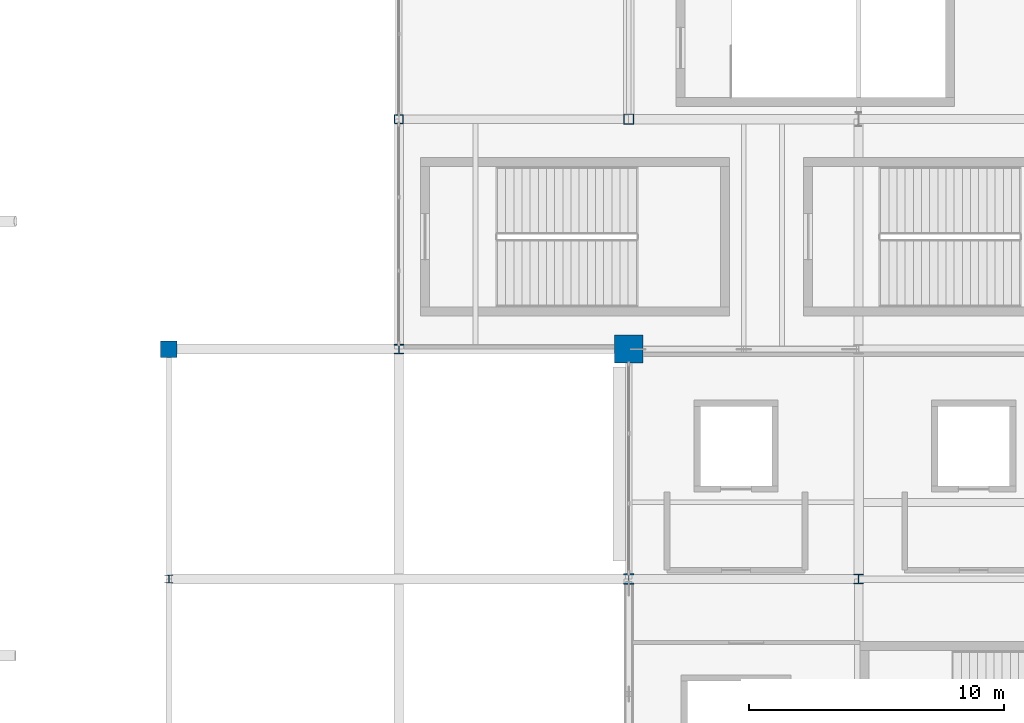
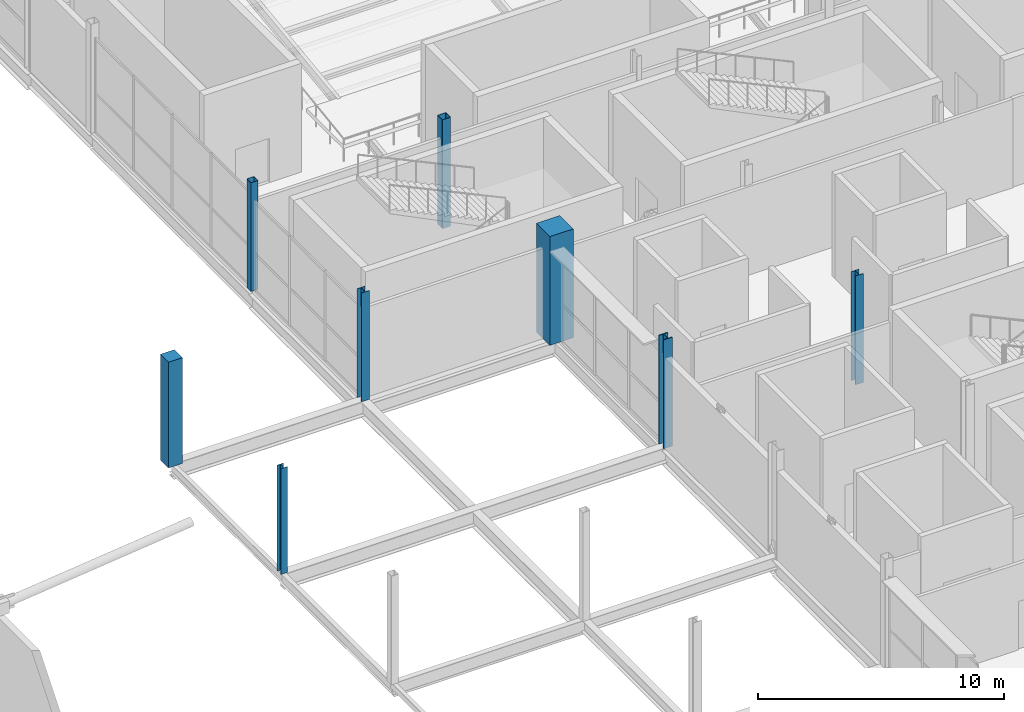
# One storey, part 17 of 119: 8 columns.
"""IFC4 building model written with IfcOpenShell, lengths in metres."""

import ifcopenshell
import ifcopenshell.guid

model = None  # the IFC model being written
_history = None  # IfcOwnerHistory: only IFC2X3 demands one
_inside = {}  # id of a spatial element -> (the spatial element, [elements in it])
_under = {}  # id of a project, library or spatial element -> (it, [spatial elements below it])
_declared = {}  # id of a project -> (the project, [libraries it declares])
_typed = {}  # id of a type object -> (the type object, [elements of that type])
_made_of = {}  # id of a material, layer set ... -> (it, [elements and type objects made of it])


def new_model(schema):
    """Start an empty IFC model of exactly this schema.

    Asked for "IFC4X3", IfcOpenShell would pick the latest addendum, in which some entities
    have other attributes; the version numbers below select the first issue.
    IFC2X3 requires an IfcOwnerHistory on every rooted entity: one is made here for all.
    """
    global model, _history
    if schema == "IFC4X3":
        model = ifcopenshell.file(schema_version=(4, 3, 0, 0))
    else:
        model = ifcopenshell.file(schema=schema)
    _inside.clear()
    _under.clear()
    _declared.clear()
    _typed.clear()
    _made_of.clear()
    _history = None
    if model.schema == "IFC2X3":
        org = make("IfcOrganization", Name="unknown")
        user = make(
            "IfcPersonAndOrganization",
            ThePerson=make("IfcPerson", FamilyName="unknown"),
            TheOrganization=org,
        )
        app = make(
            "IfcApplication",
            ApplicationDeveloper=org,
            Version="unknown",
            ApplicationFullName="unknown",
            ApplicationIdentifier="unknown",
        )
        _history = make(
            "IfcOwnerHistory",
            OwningUser=user,
            OwningApplication=app,
            ChangeAction="ADDED",
            CreationDate=0,
        )
    return model


def make(cls, **values):
    """One entity of the class cls with the attributes given. An attribute that is None is left unset."""
    return model.create_entity(
        cls, **{name: value for name, value in values.items() if value is not None}
    )


def rooted(cls, **values):
    """An entity with a GlobalId (a new one), such as an element, a storey or a relation."""
    return make(cls, GlobalId=ifcopenshell.guid.new(), OwnerHistory=_history, **values)


def si_unit(unit_type, name, prefix=None):
    """IfcSIUnit, for example si_unit("LENGTHUNIT", "METRE", prefix="MILLI")."""
    return make("IfcSIUnit", UnitType=unit_type, Prefix=prefix, Name=name)


def assignment(units):
    """IfcUnitAssignment: the units of a project."""
    return None if units is None else make("IfcUnitAssignment", Units=units)


def point(xyz):
    """IfcCartesianPoint."""
    return None if xyz is None else make("IfcCartesianPoint", Coordinates=xyz)


def direction(xyz):
    """IfcDirection."""
    return None if xyz is None else make("IfcDirection", DirectionRatios=xyz)


def frame(location, z_axis=None, x_axis=None):
    """IfcAxis2Placement3D, a coordinate frame: its origin and axes. An axis left out is left unset."""
    return make(
        "IfcAxis2Placement3D",
        Location=point(location),
        Axis=direction(z_axis),
        RefDirection=direction(x_axis),
    )


def frame_2d(location, x_axis=None):
    """IfcAxis2Placement2D, a coordinate frame in the plane: its origin and x axis."""
    return make(
        "IfcAxis2Placement2D", Location=point(location), RefDirection=direction(x_axis)
    )


def origin():
    """The frame at (0, 0, 0) with its axes left unset."""
    return frame((0.0, 0.0, 0.0))


def origin_2d():
    """The frame at (0, 0) in the plane with its x axis left unset."""
    return frame_2d((0.0, 0.0))


def place(relative_to, where):
    """IfcLocalPlacement: puts the frame where relative to a parent placement (None: the world)."""
    return make(
        "IfcLocalPlacement", PlacementRelTo=relative_to, RelativePlacement=where
    )


def context(
    kind, dimensions, precision=None, world=None, true_north=None, identifier=None
):
    """IfcGeometricRepresentationContext, for example the 3D "Model" context."""
    return make(
        "IfcGeometricRepresentationContext",
        ContextIdentifier=identifier,
        ContextType=kind,
        CoordinateSpaceDimension=dimensions,
        Precision=precision,
        WorldCoordinateSystem=world,
        TrueNorth=true_north,
    )


def subcontext(parent, identifier, kind, view, scale=None):
    """IfcGeometricRepresentationSubContext, for example "Body" below "Model"."""
    return make(
        "IfcGeometricRepresentationSubContext",
        ContextIdentifier=identifier,
        ContextType=kind,
        ParentContext=parent,
        TargetScale=scale,
        TargetView=view,
    )


def project(units=None, contexts=None):
    """IfcProject with its units and contexts."""
    return rooted(
        "IfcProject",
        Name="project",
        RepresentationContexts=contexts,
        UnitsInContext=assignment(units),
    )


def spatial(cls, under=None, at=None, **own):
    """A site, building, storey or space (cls), placed at a placement, below another one or the project."""
    s = rooted(cls, ObjectPlacement=at, **own)
    if under is not None:
        _under.setdefault(under.id(), (under, []))[1].append(s)
    return s


def profile(cls, at=None, kind="AREA", **sizes):
    """A parametric profile (cls). Its sizes go by their IFC names, for example OverallWidth=200.0."""
    return make(cls, ProfileType=kind, Position=at, **sizes)


def rectangle(**sizes):
    """IfcRectangleProfileDef."""
    return profile("IfcRectangleProfileDef", **sizes)


def hollow_rectangle(**sizes):
    """IfcRectangleHollowProfileDef."""
    return profile("IfcRectangleHollowProfileDef", **sizes)


def i_section(**sizes):
    """IfcIShapeProfileDef."""
    return profile("IfcIShapeProfileDef", **sizes)


def extrude(swept, where, along, depth):
    """IfcExtrudedAreaSolid: the profile swept, set in the frame where, extruded along a direction by depth."""
    return make(
        "IfcExtrudedAreaSolid",
        SweptArea=swept,
        Position=where,
        ExtrudedDirection=direction(along),
        Depth=depth,
    )


def shape(context_of_items, identifier, shape_type, items):
    """IfcShapeRepresentation: the items that make up one representation, for example the "Body"."""
    return make(
        "IfcShapeRepresentation",
        ContextOfItems=context_of_items,
        RepresentationIdentifier=identifier,
        RepresentationType=shape_type,
        Items=items,
    )


def material(Name=None, Category=None):
    """IfcMaterial."""
    return make("IfcMaterial", Name=Name, Category=Category)


def material_profile(
    of_material, cross_section, Name=None, Category=None, Priority=None
):
    """IfcMaterialProfile: a cross section and its material."""
    return make(
        "IfcMaterialProfile",
        Name=Name,
        Material=of_material,
        Profile=cross_section,
        Priority=Priority,
        Category=Category,
    )


def profile_set(profiles, Name=None, composite=None):
    """IfcMaterialProfileSet."""
    return make(
        "IfcMaterialProfileSet",
        Name=Name,
        MaterialProfiles=profiles,
        CompositeProfile=composite,
    )


def made_of(thing, what):
    """Note that an element or type object is made of a material, layer set ...; save() writes the relation."""
    if what is not None:
        _made_of.setdefault(what.id(), (what, []))[1].append(thing)
    return thing


def type_object(cls, material=None, **own):
    """A type object (cls), such as IfcWallType, which elements share."""
    return made_of(rooted(cls, **own), material)


def element(
    cls,
    number,
    at=None,
    inside=None,
    cuts=None,
    type_object=None,
    material=None,
    context=None,
    identifier="Body",
    shape_type=None,
    held_by="IfcProductDefinitionShape",
    body=None,
    shapes=None,
    **own,
):
    """One element of the class cls, such as IfcWall. Its Tag is "e" and its number.

    at: its placement. inside: the storey or other place that contains it. cuts: it is an
    opening in that element (IfcRelVoidsElement). A single representation is given by context,
    identifier, shape_type and body (its items); several are given by shapes. held_by: the class
    of the entity that holds the representations. save() writes the other relations.
    """
    e = rooted(cls, Tag="e%d" % number, ObjectPlacement=at, **own)
    if body is not None:
        shapes = [shape(context, identifier, shape_type, body)]
    if shapes is not None:
        e.Representation = make(held_by, Representations=shapes)
    if inside is not None:
        _inside.setdefault(inside.id(), (inside, []))[1].append(e)
    if cuts is not None:
        rooted(
            "IfcRelVoidsElement", RelatingBuildingElement=cuts, RelatedOpeningElement=e
        )
    if type_object is not None:
        _typed.setdefault(type_object.id(), (type_object, []))[1].append(e)
    return made_of(e, material)


def aggregate(whole, parts):
    """IfcRelAggregates: a whole, such as a stair, and the parts it consists of."""
    return rooted("IfcRelAggregates", RelatingObject=whole, RelatedObjects=parts)


def save(model, path):
    """Write the relations noted so far, then the file.

    IfcRelAggregates (storeys below a building ...), IfcRelContainedInSpatialStructure (elements
    in a storey), IfcRelDefinesByType, IfcRelAssociatesMaterial and IfcRelDeclares: one each for
    every whole, place, type object, material and project.
    """
    for whole, parts in _under.values():
        aggregate(whole, parts)
    for where, things in _inside.values():
        rooted(
            "IfcRelContainedInSpatialStructure",
            RelatedElements=things,
            RelatingStructure=where,
        )
    for kind, things in _typed.values():
        rooted("IfcRelDefinesByType", RelatedObjects=things, RelatingType=kind)
    for what, things in _made_of.values():
        rooted("IfcRelAssociatesMaterial", RelatedObjects=things, RelatingMaterial=what)
    for by, libraries in _declared.values():
        rooted("IfcRelDeclares", RelatingContext=by, RelatedDefinitions=libraries)
    model.write(path)


model = new_model("IFC4")

# Units and contexts
model_context = context("Model", 3, precision=1e-05, world=origin(), true_north=direction((0.0, 1.0)))
body_context = subcontext(model_context, "Body", "Model", "MODEL_VIEW")
ifc_project = project(units=[si_unit("LENGTHUNIT", "METRE"), si_unit("AREAUNIT", "SQUARE_METRE"), si_unit("VOLUMEUNIT", "CUBIC_METRE"), si_unit("PLANEANGLEUNIT", "RADIAN"), si_unit("MASSUNIT", "GRAM", prefix="KILO")], contexts=[model_context])

# Site, building, storey
site_placement = place(None, origin())
site = spatial("IfcSite", under=ifc_project, at=site_placement, CompositionType="ELEMENT")
building_placement = place(site_placement, origin())
building = spatial("IfcBuilding", under=site, at=building_placement, Name="Qamarlyn Nura Convention Centre", CompositionType="ELEMENT")
storey_placement = place(building_placement, frame((0.0, 0.0, 5.39990234375)))
storey = spatial("IfcBuildingStorey", under=building, at=storey_placement, Name="L01", CompositionType="ELEMENT", Elevation=5.39990234375)

# Columns
ifc_material_1 = material(Name="Steel ASTM A500 Grade C", Category="steel")
ifc_material_profile_1 = material_profile(ifc_material_1, hollow_rectangle(XDim=0.39990234375, YDim=0.39990234375, WallThickness=0.01611328125, InnerFilletRadius=0.01611328125, OuterFilletRadius=0.031982421875, at=origin_2d()), Name="HSS400X400X16")
ifc_profile_set_1 = profile_set([ifc_material_profile_1], Name="Steel ASTM A500 Grade C")
column_type_1 = type_object("IfcColumnType", Name="COL-HSS-1", PredefinedType="COLUMN", material=ifc_profile_set_1)
column_1_placement = place(storey_placement, frame((153.0, 90.0, 0.0), z_axis=(0.0, 0.0, 1.0), x_axis=(1.0, 0.0, 0.0)))
element("IfcColumn", 1, at=column_1_placement, inside=storey, type_object=column_type_1, Name="L01 column 13/L", PredefinedType="COLUMN", context=body_context, shape_type="SweptSolid", body=[
    extrude(hollow_rectangle(XDim=0.39990234375, YDim=0.39990234375, WallThickness=0.01611328125, InnerFilletRadius=0.01611328125, OuterFilletRadius=0.031982421875, at=origin_2d()), origin(), (0.0, 0.0, 1.0), 5.400146484375),
])
ifc_material_profile_2 = material_profile(ifc_material_1, hollow_rectangle(XDim=0.35009765625, YDim=0.35009765625, WallThickness=0.012451171875, InnerFilletRadius=0.012451171875, OuterFilletRadius=0.02490234375, at=origin_2d()), Name="HSS350X350X12.5")
ifc_profile_set_2 = profile_set([ifc_material_profile_2], Name="Steel ASTM A500 Grade C")
column_type_2 = type_object("IfcColumnType", Name="COL-HSS-2", PredefinedType="COLUMN", material=ifc_profile_set_2)
column_2_placement = place(storey_placement, frame((144.0, 90.0, 0.0), z_axis=(0.0, 0.0, 1.0), x_axis=(1.0, 0.0, 0.0)))
element("IfcColumn", 2, at=column_2_placement, inside=storey, type_object=column_type_2, Name="L01 column 12/L", PredefinedType="COLUMN", context=body_context, shape_type="SweptSolid", body=[
    extrude(hollow_rectangle(XDim=0.35009765625, YDim=0.35009765625, WallThickness=0.012451171875, InnerFilletRadius=0.012451171875, OuterFilletRadius=0.02490234375, at=origin_2d()), origin(), (0.0, 0.0, 1.0), 5.400146484375),
])
ifc_material_2 = material(Name="Steel ASTM A992", Category="steel")
ifc_material_profile_3 = material_profile(ifc_material_2, i_section(OverallWidth=0.408935546875, OverallDepth=0.425048828125, WebThickness=0.030517578125, FlangeThickness=0.049072265625, FilletRadius=0.02001953125, at=origin_2d()), Name="W360X421")
ifc_profile_set_3 = profile_set([ifc_material_profile_3], Name="Steel ASTM A992")
column_type_3 = type_object("IfcColumnType", Name="COL-MEGA-1", PredefinedType="COLUMN", material=ifc_profile_set_3)
column_3_placement = place(storey_placement, frame((153.0, 72.0, 0.0), z_axis=(0.0, 0.0, 1.0), x_axis=(1.0, 0.0, 0.0)))
element("IfcColumn", 3, at=column_3_placement, inside=storey, type_object=column_type_3, Name="L01 column 13/J", PredefinedType="COLUMN", context=body_context, shape_type="SweptSolid", body=[
    extrude(i_section(OverallWidth=0.408935546875, OverallDepth=0.425048828125, WebThickness=0.030517578125, FlangeThickness=0.049072265625, FilletRadius=0.02001953125, at=origin_2d()), origin(), (0.0, 0.0, 1.0), 5.400146484375),
])
ifc_material_3 = material(Name="Concrete C50/60", Category="concrete")
ifc_material_profile_4 = material_profile(ifc_material_3, rectangle(XDim=1.10009765625, YDim=1.10009765625, at=origin_2d()), Name="RC 1100x1100")
ifc_profile_set_4 = profile_set([ifc_material_profile_4], Name="Concrete C50/60")
column_type_4 = type_object("IfcColumnType", Name="COL-MEGA-2", PredefinedType="COLUMN", material=ifc_profile_set_4)
column_4_placement = place(storey_placement, frame((153.0, 81.0, 0.0), z_axis=(0.0, 0.0, 1.0), x_axis=(1.0, 0.0, 0.0)))
element("IfcColumn", 4, at=column_4_placement, inside=storey, type_object=column_type_4, Name="L01 column 13/K", PredefinedType="COLUMN", context=body_context, shape_type="SweptSolid", body=[
    extrude(rectangle(XDim=1.10009765625, YDim=1.10009765625, at=origin_2d()), origin(), (0.0, 0.0, 1.0), 5.400146484375),
])
ifc_material_profile_5 = material_profile(ifc_material_3, rectangle(XDim=0.64990234375, YDim=0.64990234375, at=origin_2d()), Name="RC 650x650")
ifc_profile_set_5 = profile_set([ifc_material_profile_5], Name="Concrete C50/60")
column_type_5 = type_object("IfcColumnType", Name="COL-SUB-3", PredefinedType="COLUMN", material=ifc_profile_set_5)
column_5_placement = place(storey_placement, frame((135.0, 81.0, 0.0), z_axis=(0.0, 0.0, 1.0), x_axis=(1.0, 0.0, 0.0)))
element("IfcColumn", 5, at=column_5_placement, inside=storey, type_object=column_type_5, Name="L01 column 11/K", PredefinedType="COLUMN", context=body_context, shape_type="SweptSolid", body=[
    extrude(rectangle(XDim=0.64990234375, YDim=0.64990234375, at=origin_2d()), origin(), (0.0, 0.0, 1.0), 5.255126953125),
])
ifc_material_profile_6 = material_profile(ifc_material_2, i_section(OverallWidth=0.3740234375, OverallDepth=0.3720703125, WebThickness=0.016357421875, FlangeThickness=0.026123046875, FilletRadius=0.01611328125, at=origin_2d()), Name="W360X196")
ifc_profile_set_6 = profile_set([ifc_material_profile_6], Name="Steel ASTM A992")
column_type_6 = type_object("IfcColumnType", Name="COL-WING-2", PredefinedType="COLUMN", material=ifc_profile_set_6)
for number, where, z_axis, x_axis, name in (
    (6, (144.0, 81.0, 0.0), (0.0, 0.0, 1.0), (1.0, 0.0, 0.0), "L01 column 12/K"),
    (7, (162.0, 72.0, 0.0), (0.0, 0.0, 1.0), (1.0, 0.0, 0.0), "L01 column 14/J"),
):
    element("IfcColumn", number, at=place(storey_placement, frame(where, z_axis=z_axis, x_axis=x_axis)), inside=storey, type_object=column_type_6, Name=name, PredefinedType="COLUMN", context=body_context, shape_type="SweptSolid", body=[
        extrude(i_section(OverallWidth=0.3740234375, OverallDepth=0.3720703125, WebThickness=0.016357421875, FlangeThickness=0.026123046875, FilletRadius=0.01611328125, at=origin_2d()), origin(), (0.0, 0.0, 1.0), 5.400146484375),
    ])
ifc_material_profile_7 = material_profile(ifc_material_2, i_section(OverallWidth=0.304931640625, OverallDepth=0.30810546875, WebThickness=0.010009765625, FlangeThickness=0.015380859375, FilletRadius=0.014892578125, at=origin_2d()), Name="W310X97")
ifc_profile_set_7 = profile_set([ifc_material_profile_7], Name="Steel ASTM A992")
column_type_7 = type_object("IfcColumnType", Name="COL-WING-4", PredefinedType="COLUMN", material=ifc_profile_set_7)
column_6_placement = place(storey_placement, frame((135.0, 72.0, 0.0), z_axis=(0.0, 0.0, 1.0), x_axis=(1.0, 0.0, 0.0)))
element("IfcColumn", 8, at=column_6_placement, inside=storey, type_object=column_type_7, Name="L01 column 11/J", PredefinedType="COLUMN", context=body_context, shape_type="SweptSolid", body=[
    extrude(i_section(OverallWidth=0.304931640625, OverallDepth=0.30810546875, WebThickness=0.010009765625, FlangeThickness=0.015380859375, FilletRadius=0.014892578125, at=origin_2d()), origin(), (0.0, 0.0, 1.0), 5.255126953125),
])

save(model, "model.ifc")
